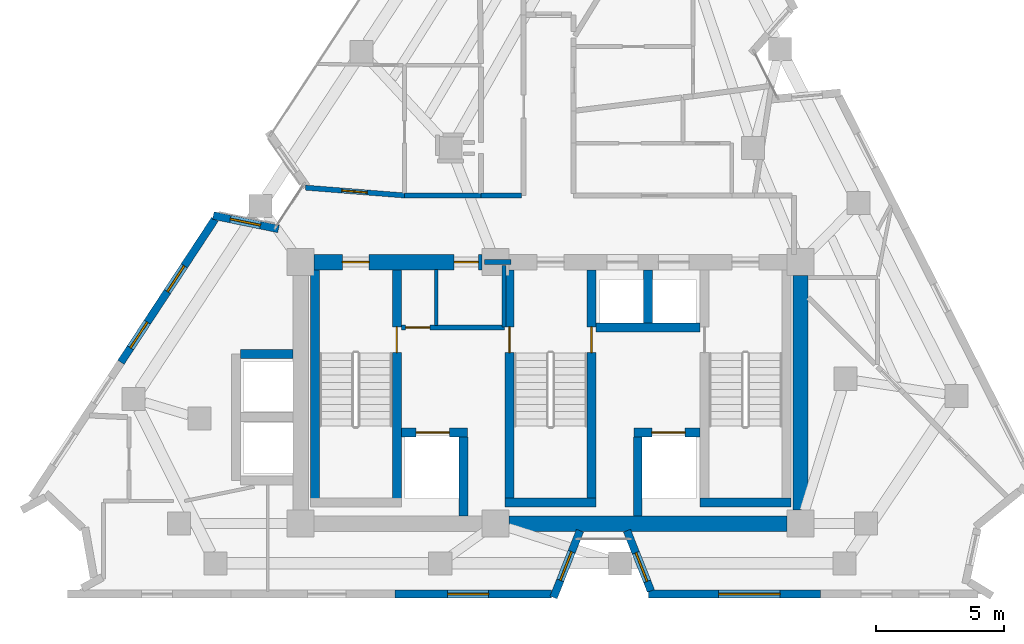
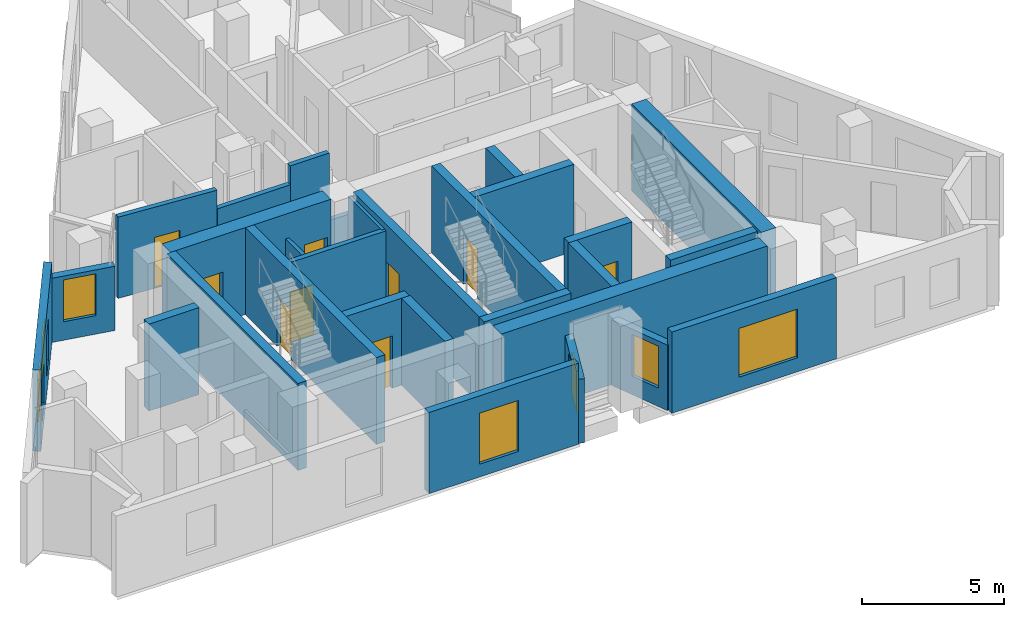
# One storey, part 5 of 9: 29 walls, 9 doors, 7 windows, 16 openings.
"""IFC4 building model written with IfcOpenShell, lengths in metres."""

from ifc_helpers import new_model, si_unit, direction, frame, frame_2d, origin, place, context, subcontext, project, spatial, rectangle, extrude, material, layer, layer_set, type_object, element, fill, save


model = new_model("IFC4")

# Units and contexts
model_context = context("Model", 3, precision=1e-05, world=origin(), true_north=direction((0.0, 1.0)))
body_context = subcontext(model_context, "Body", "Model", "MODEL_VIEW")
ifc_project = project(units=[si_unit("LENGTHUNIT", "METRE"), si_unit("AREAUNIT", "SQUARE_METRE"), si_unit("VOLUMEUNIT", "CUBIC_METRE"), si_unit("PLANEANGLEUNIT", "RADIAN"), si_unit("MASSUNIT", "GRAM", prefix="KILO")], contexts=[model_context])

# Site, building, storey
site_placement = place(None, origin())
site = spatial("IfcSite", under=ifc_project, at=site_placement, CompositionType="ELEMENT")
building_placement = place(site_placement, origin())
building = spatial("IfcBuilding", under=site, at=building_placement, Name="Almagre Mirador Tower", CompositionType="ELEMENT")
storey_placement = place(building_placement, frame((0.0, 0.0, 244.5)))
storey = spatial("IfcBuildingStorey", under=building, at=storey_placement, Name="L63", CompositionType="ELEMENT", Elevation=244.5)

# Wall, opening, window
ifc_material_1 = material(Name="Precast concrete C50/60", Category="concrete")
ifc_layer_1 = layer(ifc_material_1, 0.300048828125)
ifc_layer_set_1 = layer_set([ifc_layer_1], Name="Precast concrete C50/60")
wall_type_1 = type_object("IfcWallType", Name="WAL-EXT-300", PredefinedType="SOLIDWALL", material=ifc_layer_set_1)
wall_1_placement = place(storey_placement, frame((24.14501953125, 16.567138671875, 0.0), z_axis=(0.0, 0.0, 1.0), x_axis=(0.979528055306, -0.201307696993, 0.0)))
wall_1 = element("IfcWall", 1, at=wall_1_placement, inside=storey, type_object=wall_type_1, Name="L63 expressed almagre precast frame wall 01", PredefinedType="SOLIDWALL", context=body_context, shape_type="SweptSolid", body=[
    extrude(rectangle(XDim=2.59423828125, YDim=0.300048828125, at=frame_2d((1.297119140625, 0.0))), origin(), (0.0, 0.0, 1.0), 2.76904296875),
])
opening_1_placement = place(wall_1_placement, frame((0.675048828125, 0.0, 0.800048828125)))
opening_1 = element("IfcOpeningElement", 2, at=opening_1_placement, cuts=wall_1, Name="Opening WN-04", PredefinedType="OPENING", context=body_context, shape_type="SweptSolid", body=[
    extrude(rectangle(XDim=1.199951171875, YDim=1.800048828125, at=frame_2d((0.60009765625, 0.89990234375))), frame((0.0, 0.159902, 0.0), z_axis=(0.0, -1.0, 0.0), x_axis=(1.0, 0.0, 0.0)), (0.0, 0.0, 1.0), 0.320049),
])
ifc_material_2 = material(Name="Dark solar-control laminated hurricane glass", Category="glass")
window_type_1 = type_object("IfcWindowType", Name="WIN-1200X1800", PartitioningType="SINGLE_PANEL", PredefinedType="WINDOW", material=ifc_material_2)
window_1_placement = place(opening_1_placement, origin())
window_1 = element("IfcWindow", 3, at=window_1_placement, inside=storey, type_object=window_type_1, Name="L63 recessed hurricane window L63-UD-ST", OverallHeight=1.800048828125, OverallWidth=1.199951171875, PartitioningType="SINGLE_PANEL", PredefinedType="WINDOW", context=body_context, shape_type="SweptSolid", body=[
    extrude(rectangle(XDim=1.199951171875, YDim=1.800048828125, at=frame_2d((0.60009765625, 0.89990234375))), frame((0.0, 0.030029296875, 0.0), z_axis=(0.0, -1.0, 0.0), x_axis=(1.0, 0.0, 0.0)), (0.0, 0.0, 1.0), 0.06005859375),
])
fill(opening_1, window_1)

wall_2_placement = place(storey_placement, frame((47.83203125, 1.800048828125, 0.0), z_axis=(0.0, 0.0, 1.0), x_axis=(-1.0, 0.0, 0.0)))
wall_2 = element("IfcWall", 4, at=wall_2_placement, inside=storey, type_object=wall_type_1, Name="L63 expressed almagre precast frame wall 21", PredefinedType="SOLIDWALL", context=body_context, shape_type="SweptSolid", body=[
    extrude(rectangle(XDim=6.7080078125, YDim=0.300048828125, at=frame_2d((3.35400390625, 0.0))), origin(), (0.0, 0.0, 1.0), 3.5),
])
opening_2_placement = place(wall_2_placement, frame((1.574951171875, 0.0, 0.60009765625)))
opening_2 = element("IfcOpeningElement", 5, at=opening_2_placement, cuts=wall_2, Name="Opening WN-02", PredefinedType="OPENING", context=body_context, shape_type="SweptSolid", body=[
    extrude(rectangle(XDim=2.39990234375, YDim=2.10009765625, at=frame_2d((1.199951171875, 1.050048828125))), frame((0.0, 0.159902, 0.0), z_axis=(0.0, -1.0, 0.0), x_axis=(1.0, 0.0, 0.0)), (0.0, 0.0, 1.0), 0.320049),
])
ifc_material_3 = material(Name="Dark solar-control laminated hurricane glass", Category="glass")
window_type_2 = type_object("IfcWindowType", Name="WIN-2400X2100", PartitioningType="TRIPLE_PANEL_VERTICAL", PredefinedType="WINDOW", material=ifc_material_3)
window_2_placement = place(opening_2_placement, origin())
window_2 = element("IfcWindow", 6, at=window_2_placement, inside=storey, type_object=window_type_2, Name="L63 recessed hurricane window L63-UB-ST", OverallHeight=2.10009765625, OverallWidth=2.39990234375, PartitioningType="SINGLE_PANEL", PredefinedType="WINDOW", context=body_context, shape_type="SweptSolid", body=[
    extrude(rectangle(XDim=2.39990234375, YDim=2.10009765625, at=frame_2d((1.199951171875, 1.050048828125))), frame((0.0, 0.030029296875, 0.0), z_axis=(0.0, -1.0, 0.0), x_axis=(1.0, 0.0, 0.0)), (0.0, 0.0, 1.0), 0.06005859375),
])
fill(opening_2, window_2)

wall_3_placement = place(storey_placement, frame((41.214111328125, 1.92529296875, 0.0), z_axis=(0.0, 0.0, 1.0), x_axis=(-0.369457562636, 0.929247603931, 0.0)))
wall_3 = element("IfcWall", 7, at=wall_3_placement, inside=storey, type_object=wall_type_1, Name="L63 expressed almagre precast frame wall 22", PredefinedType="SOLIDWALL", context=body_context, shape_type="SweptSolid", body=[
    extrude(rectangle(XDim=2.52685546875, YDim=0.300048828125, at=frame_2d((1.263427734375, 0.0))), origin(), (0.0, 0.0, 1.0), 2.824951171875),
])
opening_3_placement = place(wall_3_placement, frame((0.39990234375, 0.0, 0.800048828125)))
opening_3 = element("IfcOpeningElement", 8, at=opening_3_placement, cuts=wall_3, Name="Opening WN-04", PredefinedType="OPENING", context=body_context, shape_type="SweptSolid", body=[
    extrude(rectangle(XDim=1.199951171875, YDim=1.800048828125, at=frame_2d((0.60009765625, 0.89990234375))), frame((0.0, 0.159902, 0.0), z_axis=(0.0, -1.0, 0.0), x_axis=(1.0, 0.0, 0.0)), (0.0, 0.0, 1.0), 0.320049),
])
window_3_placement = place(opening_3_placement, origin())
window_3 = element("IfcWindow", 9, at=window_3_placement, inside=storey, type_object=window_type_1, Name="L63 recessed hurricane window L63-UB-BT", OverallHeight=1.800048828125, OverallWidth=1.199951171875, PartitioningType="SINGLE_PANEL", PredefinedType="WINDOW", context=body_context, shape_type="SweptSolid", body=[
    extrude(rectangle(XDim=1.199951171875, YDim=1.800048828125, at=frame_2d((0.60009765625, 0.89990234375))), frame((0.0, 0.030029296875, 0.0), z_axis=(0.0, -1.0, 0.0), x_axis=(1.0, 0.0, 0.0)), (0.0, 0.0, 1.0), 0.06005859375),
])
fill(opening_3, window_3)

wall_4_placement = place(storey_placement, frame((38.447509765625, 4.2734375, 0.0), z_axis=(0.0, 0.0, 1.0), x_axis=(-0.369466825356, -0.929243921132, 0.0)))
wall_4 = element("IfcWall", 10, at=wall_4_placement, inside=storey, type_object=wall_type_1, Name="L63 expressed almagre precast frame wall 23", PredefinedType="SOLIDWALL", context=body_context, shape_type="SweptSolid", body=[
    extrude(rectangle(XDim=2.8017578125, YDim=0.300048828125, at=frame_2d((1.40087890625, 0.0))), origin(), (0.0, 0.0, 1.0), 2.76904296875),
])
opening_4_placement = place(wall_4_placement, frame((0.883056640625, 0.0, 0.800048828125)))
opening_4 = element("IfcOpeningElement", 11, at=opening_4_placement, cuts=wall_4, Name="Opening WN-04", PredefinedType="OPENING", context=body_context, shape_type="SweptSolid", body=[
    extrude(rectangle(XDim=1.199951171875, YDim=1.800048828125, at=frame_2d((0.60009765625, 0.89990234375))), frame((0.0, 0.159902, 0.0), z_axis=(0.0, -1.0, 0.0), x_axis=(1.0, 0.0, 0.0)), (0.0, 0.0, 1.0), 0.320049),
])
window_4_placement = place(opening_4_placement, origin())
window_4 = element("IfcWindow", 12, at=window_4_placement, inside=storey, type_object=window_type_1, Name="L63 recessed hurricane window L63-UB-BT", OverallHeight=1.800048828125, OverallWidth=1.199951171875, PartitioningType="SINGLE_PANEL", PredefinedType="WINDOW", context=body_context, shape_type="SweptSolid", body=[
    extrude(rectangle(XDim=1.199951171875, YDim=1.800048828125, at=frame_2d((0.60009765625, 0.89990234375))), frame((0.0, 0.030029296875, 0.0), z_axis=(0.0, -1.0, 0.0), x_axis=(1.0, 0.0, 0.0)), (0.0, 0.0, 1.0), 0.06005859375),
])
fill(opening_4, window_4)

wall_5_placement = place(storey_placement, frame((37.3291015625, 1.800048828125, 0.0), z_axis=(0.0, 0.0, 1.0), x_axis=(-1.0, 0.0, 0.0)))
wall_5 = element("IfcWall", 13, at=wall_5_placement, inside=storey, type_object=wall_type_1, Name="L63 expressed almagre precast frame wall 24", PredefinedType="SOLIDWALL", context=body_context, shape_type="SweptSolid", body=[
    extrude(rectangle(XDim=6.1064453125, YDim=0.300048828125, at=frame_2d((3.05322265625, 0.0))), origin(), (0.0, 0.0, 1.0), 3.5),
])
opening_5_placement = place(wall_5_placement, frame((2.449951171875, 0.0, 0.550048828125)))
opening_5 = element("IfcOpeningElement", 14, at=opening_5_placement, cuts=wall_5, Name="Opening WN-06", PredefinedType="OPENING", context=body_context, shape_type="SweptSolid", body=[
    extrude(rectangle(XDim=1.60009765625, YDim=2.199951171875, at=frame_2d((0.800048828125, 1.10009765625))), frame((0.0, 0.159902, 0.0), z_axis=(0.0, -1.0, 0.0), x_axis=(1.0, 0.0, 0.0)), (0.0, 0.0, 1.0), 0.320049),
])
ifc_material_4 = material(Name="Dark solar-control laminated hurricane glass", Category="glass")
window_type_3 = type_object("IfcWindowType", Name="WIN-1600X2200", PartitioningType="DOUBLE_PANEL_VERTICAL", PredefinedType="WINDOW", material=ifc_material_4)
window_5_placement = place(opening_5_placement, origin())
window_5 = element("IfcWindow", 15, at=window_5_placement, inside=storey, type_object=window_type_3, Name="L63 recessed hurricane window L63-UB-KT", OverallHeight=2.199951171875, OverallWidth=1.60009765625, PartitioningType="SINGLE_PANEL", PredefinedType="WINDOW", context=body_context, shape_type="SweptSolid", body=[
    extrude(rectangle(XDim=1.60009765625, YDim=2.199951171875, at=frame_2d((0.800048828125, 1.10009765625))), frame((0.0, 0.030029296875, 0.0), z_axis=(0.0, -1.0, 0.0), x_axis=(1.0, 0.0, 0.0)), (0.0, 0.0, 1.0), 0.06005859375),
])
fill(opening_5, window_5)

# Wall, openings, windows
wall_6_placement = place(storey_placement, frame((20.5390625, 10.841064453125, 0.0), z_axis=(0.0, 0.0, 1.0), x_axis=(0.549017369907, 0.83581094007, 0.0)))
wall_6 = element("IfcWall", 16, at=wall_6_placement, inside=storey, type_object=wall_type_1, Name="L63 expressed almagre precast frame wall 32", PredefinedType="SOLIDWALL", context=body_context, shape_type="SweptSolid", body=[
    extrude(rectangle(XDim=6.677490234375, YDim=0.300048828125, at=frame_2d((3.3388671875, 0.0))), origin(), (0.0, 0.0, 1.0), 3.5),
])
opening_6_placement = place(wall_6_placement, frame((3.300048828125, 0.0, 0.800048828125)))
opening_6 = element("IfcOpeningElement", 17, at=opening_6_placement, cuts=wall_6, Name="Opening WN-04", PredefinedType="OPENING", context=body_context, shape_type="SweptSolid", body=[
    extrude(rectangle(XDim=1.199951171875, YDim=1.800048828125, at=frame_2d((0.60009765625, 0.89990234375))), frame((0.0, 0.159902, 0.0), z_axis=(0.0, -1.0, 0.0), x_axis=(1.0, 0.0, 0.0)), (0.0, 0.0, 1.0), 0.320049),
])
opening_7_placement = place(wall_6_placement, frame((0.675048828125, 0.0, 0.800048828125)))
opening_7 = element("IfcOpeningElement", 18, at=opening_7_placement, cuts=wall_6, Name="Opening WN-04", PredefinedType="OPENING", context=body_context, shape_type="SweptSolid", body=[
    extrude(rectangle(XDim=1.199951171875, YDim=1.800048828125, at=frame_2d((0.60009765625, 0.89990234375))), frame((0.0, 0.159902, 0.0), z_axis=(0.0, -1.0, 0.0), x_axis=(1.0, 0.0, 0.0)), (0.0, 0.0, 1.0), 0.320049),
])
window_6_placement = place(opening_6_placement, origin())
window_6 = element("IfcWindow", 19, at=window_6_placement, inside=storey, type_object=window_type_1, Name="L63 recessed hurricane window L63-UD-BT", OverallHeight=1.800048828125, OverallWidth=1.199951171875, PartitioningType="SINGLE_PANEL", PredefinedType="WINDOW", context=body_context, shape_type="SweptSolid", body=[
    extrude(rectangle(XDim=1.199951171875, YDim=1.800048828125, at=frame_2d((0.60009765625, 0.89990234375))), frame((0.0, 0.030029296875, 0.0), z_axis=(0.0, -1.0, 0.0), x_axis=(1.0, 0.0, 0.0)), (0.0, 0.0, 1.0), 0.06005859375),
])
fill(opening_6, window_6)
window_7_placement = place(opening_7_placement, origin())
window_7 = element("IfcWindow", 20, at=window_7_placement, inside=storey, type_object=window_type_1, Name="L63 recessed hurricane window L63-UD-KT", OverallHeight=1.800048828125, OverallWidth=1.199951171875, PartitioningType="SINGLE_PANEL", PredefinedType="WINDOW", context=body_context, shape_type="SweptSolid", body=[
    extrude(rectangle(XDim=1.199951171875, YDim=1.800048828125, at=frame_2d((0.60009765625, 0.89990234375))), frame((0.0, 0.030029296875, 0.0), z_axis=(0.0, -1.0, 0.0), x_axis=(1.0, 0.0, 0.0)), (0.0, 0.0, 1.0), 0.06005859375),
])
fill(opening_7, window_7)

# Wall
ifc_material_5 = material(Name="Gypsum acoustic stud partition", Category="other")
ifc_layer_2 = layer(ifc_material_5, 0.199951171875)
ifc_layer_set_2 = layer_set([ifc_layer_2], Name="Gypsum acoustic stud partition")
wall_type_2 = type_object("IfcWallType", Name="WAL-PRT-200-EI60", PredefinedType="PARTITIONING", material=ifc_layer_set_2)
wall_7_placement = place(storey_placement, frame((34.719970703125, 14.75, 0.0), z_axis=(0.0, 0.0, 1.0), x_axis=(1.0, 0.0, 0.0)))
element("IfcWall", 21, at=wall_7_placement, inside=storey, type_object=wall_type_2, Name="L63 core north closure wall", PredefinedType="PARTITIONING", context=body_context, shape_type="SweptSolid", body=[
    extrude(rectangle(XDim=1.030029296875, YDim=0.199951171875, at=frame_2d((0.51513671875, 0.0))), origin(), (0.0, 0.0, 1.0), 2.68505859375),
])

# Wall, opening, door
wall_8_placement = place(storey_placement, frame((31.47998046875, 12.199951171875, 0.0), z_axis=(0.0, 0.0, 1.0), x_axis=(1.0, 0.0, 0.0)))
wall_8 = element("IfcWall", 22, at=wall_8_placement, inside=storey, type_object=wall_type_2, Name="L63 FFL-1 north enclosure wall", PredefinedType="PARTITIONING", context=body_context, shape_type="SweptSolid", body=[
    extrude(rectangle(XDim=4.024658203125, YDim=0.199951171875, at=frame_2d((2.01220703125, 0.0))), origin(), (0.0, 0.0, 1.0), 3.5),
])
opening_8_placement = place(wall_8_placement, frame((0.1650390625, 0.0, 0.0)))
opening_8 = element("IfcOpeningElement", 23, at=opening_8_placement, cuts=wall_8, Name="Opening ID-02", PredefinedType="OPENING", context=body_context, shape_type="SweptSolid", body=[
    extrude(rectangle(XDim=0.949951171875, YDim=2.14990234375, at=frame_2d((0.47509765625, 1.074951171875))), frame((0.0, 0.110098, 0.0), z_axis=(0.0, -1.0, 0.0), x_axis=(1.0, 0.0, 0.0)), (0.0, 0.0, 1.0), 0.219951),
])
ifc_material_6 = material(Name="Fire-rated walnut timber", Category="wood")
door_type_1 = type_object("IfcDoorType", Name="DOR-FD60-950X2150", OperationType="NOTDEFINED", PredefinedType="DOOR", material=ifc_material_6)
door_1_placement = place(opening_8_placement, origin())
door_1 = element("IfcDoor", 24, at=door_1_placement, inside=storey, type_object=door_type_1, Name="DR-1934 L63 FFL-1 north smoke door", OperationType="SINGLE_SWING_RIGHT", OverallHeight=2.14990234375, OverallWidth=0.949951171875, PredefinedType="DOOR", context=body_context, shape_type="SweptSolid", body=[
    extrude(rectangle(XDim=0.949951171875, YDim=2.14990234375, at=frame_2d((0.47509765625, 1.074951171875))), frame((0.0, 0.02490234375, 0.0), z_axis=(0.0, -1.0, 0.0), x_axis=(1.0, 0.0, 0.0)), (0.0, 0.0, 1.0), 0.050048828125),
])
fill(opening_8, door_1)

# Walls
wall_9_placement = place(storey_placement, frame((32.840087890625, 12.284912109375, 0.0), z_axis=(0.0, 0.0, 1.0), x_axis=(0.0, 1.0, 0.0)))
element("IfcWall", 25, at=wall_9_placement, inside=storey, type_object=wall_type_2, Name="L63 core riser west wall", PredefinedType="PARTITIONING", context=body_context, shape_type="SweptSolid", body=[
    extrude(rectangle(XDim=2.18017578125, YDim=0.14990234375, at=frame_2d((1.090087890625, 0.0))), origin(), (0.0, 0.0, 1.0), 2.68505859375),
])
wall_10_placement = place(storey_placement, frame((35.47998046875, 12.219970703125, 0.0), z_axis=(0.0, 0.0, 1.0), x_axis=(0.0, 1.0, 0.0)))
element("IfcWall", 26, at=wall_10_placement, inside=storey, type_object=wall_type_2, Name="L63 core riser east wall", PredefinedType="PARTITIONING", context=body_context, shape_type="SweptSolid", body=[
    extrude(rectangle(XDim=2.396240234375, YDim=0.14990234375, at=frame_2d((1.1982421875, 0.0))), origin(), (0.0, 0.0, 1.0), 3.5),
])

# Wall, opening, door
wall_11_placement = place(storey_placement, frame((31.60009765625, 17.35009765625, 0.0), z_axis=(0.0, 0.0, 1.0), x_axis=(-0.996894372276, 0.078750304913, 0.0)))
wall_11 = element("IfcWall", 27, at=wall_11_placement, inside=storey, type_object=wall_type_2, Name="L63 interior partition 008", PredefinedType="PARTITIONING", context=body_context, shape_type="SweptSolid", body=[
    extrude(rectangle(XDim=3.8720703125, YDim=0.199951171875, at=frame_2d((1.93603515625, 0.0))), origin(), (0.0, 0.0, 1.0), 3.5),
])
opening_9_placement = place(wall_11_placement, frame((1.45263671875, 0.0, 0.0)))
opening_9 = element("IfcOpeningElement", 28, at=opening_9_placement, cuts=wall_11, Name="Opening ID-01", PredefinedType="OPENING", context=body_context, shape_type="SweptSolid", body=[
    extrude(rectangle(XDim=1.0, YDim=2.199951171875, at=frame_2d((0.5, 1.10009765625))), frame((0.0, 0.110098, 0.0), z_axis=(0.0, -1.0, 0.0), x_axis=(1.0, 0.0, 0.0)), (0.0, 0.0, 1.0), 0.219951),
])
ifc_material_7 = material(Name="Fire-rated walnut timber", Category="wood")
door_type_2 = type_object("IfcDoorType", Name="DOR-FD60-1000X2200", OperationType="NOTDEFINED", PredefinedType="DOOR", material=ifc_material_7)
door_2_placement = place(opening_9_placement, origin())
door_2 = element("IfcDoor", 29, at=door_2_placement, inside=storey, type_object=door_type_2, Name="DR-1944 L63 interior door L63-RCOR to L63-UG-ST", OperationType="SINGLE_SWING_LEFT", OverallHeight=2.199951171875, OverallWidth=1.0, PredefinedType="DOOR", context=body_context, shape_type="SweptSolid", body=[
    extrude(rectangle(XDim=1.0, YDim=2.199951171875, at=frame_2d((0.5, 1.10009765625))), frame((0.0, 0.02490234375, 0.0), z_axis=(0.0, -1.0, 0.0), x_axis=(1.0, 0.0, 0.0)), (0.0, 0.0, 1.0), 0.050048828125),
])
fill(opening_9, door_2)

# Walls
wall_12_placement = place(storey_placement, frame((34.580078125, 17.35009765625, 0.0), z_axis=(0.0, 0.0, 1.0), x_axis=(-1.0, 0.0, 0.0)))
element("IfcWall", 30, at=wall_12_placement, inside=storey, type_object=wall_type_2, Name="L63 interior partition 009", PredefinedType="PARTITIONING", context=body_context, shape_type="SweptSolid", body=[
    extrude(rectangle(XDim=2.97998046875, YDim=0.199951171875, at=frame_2d((1.489990234375, 0.0))), origin(), (0.0, 0.0, 1.0), 2.68505859375),
])
wall_13_placement = place(storey_placement, frame((36.1650390625, 17.35009765625, 0.0), z_axis=(0.0, 0.0, 1.0), x_axis=(-1.0, 0.0, 0.0)))
element("IfcWall", 31, at=wall_13_placement, inside=storey, type_object=wall_type_2, Name="L63 interior partition 011", PredefinedType="PARTITIONING", context=body_context, shape_type="SweptSolid", body=[
    extrude(rectangle(XDim=1.5849609375, YDim=0.199951171875, at=frame_2d((0.79248046875, 0.0))), origin(), (0.0, 0.0, 1.0), 3.5),
])
ifc_material_8 = material(Name="Concrete C60/75", Category="concrete")
ifc_layer_3 = layer(ifc_material_8, 0.35009765625)
ifc_layer_set_3 = layer_set([ifc_layer_3], Name="Concrete C60/75")
wall_type_3 = type_object("IfcWallType", Name="WAL-SHF-350", PredefinedType="SOLIDWALL", material=ifc_layer_set_3)
wall_14_placement = place(storey_placement, frame((28.10009765625, 5.199951171875, 0.0), z_axis=(0.0, 0.0, 1.0), x_axis=(0.0, 1.0, 0.0)))
element("IfcWall", 32, at=wall_14_placement, inside=storey, type_object=wall_type_3, Name="L63 shaft wall ST1-W", PredefinedType="SOLIDWALL", context=body_context, shape_type="SweptSolid", body=[
    extrude(rectangle(XDim=9.25, YDim=0.35009765625, at=frame_2d((4.625, 0.0))), origin(), (0.0, 0.0, 1.0), 3.75),
])

# Wall, opening, door
wall_15_placement = place(storey_placement, frame((31.300048828125, 5.199951171875, 0.0), z_axis=(0.0, 0.0, 1.0), x_axis=(0.0, 1.0, 0.0)))
wall_15 = element("IfcWall", 33, at=wall_15_placement, inside=storey, type_object=wall_type_3, Name="L63 shaft wall ST1-E", PredefinedType="SOLIDWALL", context=body_context, shape_type="SweptSolid", body=[
    extrude(rectangle(XDim=9.25, YDim=0.35009765625, at=frame_2d((4.625, 0.0))), origin(), (0.0, 0.0, 1.0), 3.75),
])
opening_10_placement = place(wall_15_placement, frame((6.02001953125, 0.0, 0.0)))
opening_10 = element("IfcOpeningElement", 34, at=opening_10_placement, cuts=wall_15, Name="Opening FD-01", PredefinedType="OPENING", context=body_context, shape_type="SweptSolid", body=[
    extrude(rectangle(XDim=1.0, YDim=2.14990234375, at=frame_2d((0.5, 1.074951171875))), frame((0.0, 0.185049, 0.0), z_axis=(0.0, -1.0, 0.0), x_axis=(1.0, 0.0, 0.0)), (0.0, 0.0, 1.0), 0.370098),
])
ifc_material_9 = material(Name="Fire-rated hollow steel", Category="steel")
door_type_3 = type_object("IfcDoorType", Name="DOR-FFL-1000X2150", OperationType="NOTDEFINED", PredefinedType="DOOR", material=ifc_material_9)
door_3_placement = place(opening_10_placement, origin())
door_3 = element("IfcDoor", 35, at=door_3_placement, inside=storey, type_object=door_type_3, Name="DR-1935 L63 FFL1-ST1 smokeproof door", OperationType="SINGLE_SWING_RIGHT", OverallHeight=2.14990234375, OverallWidth=1.0, PredefinedType="DOOR", context=body_context, shape_type="SweptSolid", body=[
    extrude(rectangle(XDim=1.0, YDim=2.14990234375, at=frame_2d((0.5, 1.074951171875))), frame((0.0, 0.02490234375, 0.0), z_axis=(0.0, -1.0, 0.0), x_axis=(1.0, 0.0, 0.0)), (0.0, 0.0, 1.0), 0.050048828125),
])
fill(opening_10, door_3)

wall_16_placement = place(storey_placement, frame((35.699951171875, 5.199951171875, 0.0), z_axis=(0.0, 0.0, 1.0), x_axis=(0.0, 1.0, 0.0)))
wall_16 = element("IfcWall", 36, at=wall_16_placement, inside=storey, type_object=wall_type_3, Name="L63 shaft wall ST2-W", PredefinedType="SOLIDWALL", context=body_context, shape_type="SweptSolid", body=[
    extrude(rectangle(XDim=9.25, YDim=0.35009765625, at=frame_2d((4.625, 0.0))), origin(), (0.0, 0.0, 1.0), 3.75),
])
opening_11_placement = place(wall_16_placement, frame((6.02001953125, 0.0, 0.0)))
opening_11 = element("IfcOpeningElement", 37, at=opening_11_placement, cuts=wall_16, Name="Opening FD-01", PredefinedType="OPENING", context=body_context, shape_type="SweptSolid", body=[
    extrude(rectangle(XDim=1.0, YDim=2.14990234375, at=frame_2d((0.5, 1.074951171875))), frame((0.0, 0.185049, 0.0), z_axis=(0.0, -1.0, 0.0), x_axis=(1.0, 0.0, 0.0)), (0.0, 0.0, 1.0), 0.370098),
])
door_4_placement = place(opening_11_placement, origin())
door_4 = element("IfcDoor", 38, at=door_4_placement, inside=storey, type_object=door_type_3, Name="DR-1936 L63 FFL1-ST2 smokeproof door", OperationType="SINGLE_SWING_LEFT", OverallHeight=2.14990234375, OverallWidth=1.0, PredefinedType="DOOR", context=body_context, shape_type="SweptSolid", body=[
    extrude(rectangle(XDim=1.0, YDim=2.14990234375, at=frame_2d((0.5, 1.074951171875))), frame((0.0, 0.02490234375, 0.0), z_axis=(0.0, -1.0, 0.0), x_axis=(1.0, 0.0, 0.0)), (0.0, 0.0, 1.0), 0.050048828125),
])
fill(opening_11, door_4)

wall_17_placement = place(storey_placement, frame((38.89990234375, 5.199951171875, 0.0), z_axis=(0.0, 0.0, 1.0), x_axis=(0.0, 1.0, 0.0)))
wall_17 = element("IfcWall", 39, at=wall_17_placement, inside=storey, type_object=wall_type_3, Name="L63 shaft wall ST2-E", PredefinedType="SOLIDWALL", context=body_context, shape_type="SweptSolid", body=[
    extrude(rectangle(XDim=9.25, YDim=0.35009765625, at=frame_2d((4.625, 0.0))), origin(), (0.0, 0.0, 1.0), 3.75),
])
opening_12_placement = place(wall_17_placement, frame((6.02001953125, 0.0, 0.0)))
opening_12 = element("IfcOpeningElement", 40, at=opening_12_placement, cuts=wall_17, Name="Opening FD-01", PredefinedType="OPENING", context=body_context, shape_type="SweptSolid", body=[
    extrude(rectangle(XDim=1.0, YDim=2.14990234375, at=frame_2d((0.5, 1.074951171875))), frame((0.0, 0.185049, 0.0), z_axis=(0.0, -1.0, 0.0), x_axis=(1.0, 0.0, 0.0)), (0.0, 0.0, 1.0), 0.370098),
])
door_5_placement = place(opening_12_placement, origin())
door_5 = element("IfcDoor", 41, at=door_5_placement, inside=storey, type_object=door_type_3, Name="DR-1937 L63 FFL2-ST2 smokeproof door", OperationType="SINGLE_SWING_RIGHT", OverallHeight=2.14990234375, OverallWidth=1.0, PredefinedType="DOOR", context=body_context, shape_type="SweptSolid", body=[
    extrude(rectangle(XDim=1.0, YDim=2.14990234375, at=frame_2d((0.5, 1.074951171875))), frame((0.0, 0.02490234375, 0.0), z_axis=(0.0, -1.0, 0.0), x_axis=(1.0, 0.0, 0.0)), (0.0, 0.0, 1.0), 0.050048828125),
])
fill(opening_12, door_5)

# Walls
for number, where, z_axis, x_axis, name in (
    (42, (35.52490234375, 5.375, 0.0), (0.0, 0.0, 1.0), (1.0, 0.0, 0.0), "L63 shaft wall ST2-S"),
    (43, (43.125, 5.375, 0.0), (0.0, 0.0, 1.0), (1.0, 0.0, 0.0), "L63 shaft wall ST3-S"),
):
    element("IfcWall", number, at=place(storey_placement, frame(where, z_axis=z_axis, x_axis=x_axis)), inside=storey, type_object=wall_type_3, Name=name, PredefinedType="SOLIDWALL", context=body_context, shape_type="SweptSolid", body=[
        extrude(rectangle(XDim=3.550048828125, YDim=0.35009765625, at=frame_2d((1.77490234375, 0.0))), origin(), (0.0, 0.0, 1.0), 3.75),
    ])

# Wall, opening, door
wall_18_placement = place(storey_placement, frame((31.47509765625, 8.10009765625, 0.0), z_axis=(0.0, 0.0, 1.0), x_axis=(1.0, 0.0, 0.0)))
wall_18 = element("IfcWall", 44, at=wall_18_placement, inside=storey, type_object=wall_type_3, Name="L63 shaft wall FSAE1-N", PredefinedType="SOLIDWALL", context=body_context, shape_type="SweptSolid", body=[
    extrude(rectangle(XDim=2.574951171875, YDim=0.35009765625, at=frame_2d((1.28759765625, 0.0))), origin(), (0.0, 0.0, 1.0), 3.75),
])
opening_13_placement = place(wall_18_placement, frame((0.574951171875, 0.0, 0.0)))
opening_13 = element("IfcOpeningElement", 45, at=opening_13_placement, cuts=wall_18, Name="Opening LD-03", PredefinedType="OPENING", context=body_context, shape_type="SweptSolid", body=[
    extrude(rectangle(XDim=1.300048828125, YDim=2.25, at=frame_2d((0.64990234375, 1.125))), frame((0.0, 0.185049, 0.0), z_axis=(0.0, -1.0, 0.0), x_axis=(1.0, 0.0, 0.0)), (0.0, 0.0, 1.0), 0.370098),
])
ifc_material_10 = material(Name="Hollow stainless steel", Category="steel")
door_type_4 = type_object("IfcDoorType", Name="DOR-LD-1300X2250", OperationType="DOUBLE_DOOR_SLIDING", PredefinedType="DOOR", material=ifc_material_10)
door_6_placement = place(opening_13_placement, origin())
door_6 = element("IfcDoor", 46, at=door_6_placement, inside=storey, type_object=door_type_4, Name="DR-1954 L63 FSAE-1 lift landing door", OperationType="DOUBLE_DOOR_SLIDING", OverallHeight=2.25, OverallWidth=1.300048828125, PredefinedType="DOOR", context=body_context, shape_type="SweptSolid", body=[
    extrude(rectangle(XDim=1.300048828125, YDim=2.25, at=frame_2d((0.64990234375, 1.125))), frame((0.0, 0.02490234375, 0.0), z_axis=(0.0, -1.0, 0.0), x_axis=(1.0, 0.0, 0.0)), (0.0, 0.0, 1.0), 0.050048828125),
])
fill(opening_13, door_6)

wall_19_placement = place(storey_placement, frame((40.550048828125, 8.10009765625, 0.0), z_axis=(0.0, 0.0, 1.0), x_axis=(1.0, 0.0, 0.0)))
wall_19 = element("IfcWall", 47, at=wall_19_placement, inside=storey, type_object=wall_type_3, Name="L63 shaft wall FSAE2-N", PredefinedType="SOLIDWALL", context=body_context, shape_type="SweptSolid", body=[
    extrude(rectangle(XDim=2.574951171875, YDim=0.35009765625, at=frame_2d((1.28759765625, 0.0))), origin(), (0.0, 0.0, 1.0), 3.75),
])
opening_14_placement = place(wall_19_placement, frame((0.699951171875, 0.0, 0.0)))
opening_14 = element("IfcOpeningElement", 48, at=opening_14_placement, cuts=wall_19, Name="Opening LD-03", PredefinedType="OPENING", context=body_context, shape_type="SweptSolid", body=[
    extrude(rectangle(XDim=1.300048828125, YDim=2.25, at=frame_2d((0.64990234375, 1.125))), frame((0.0, 0.185049, 0.0), z_axis=(0.0, -1.0, 0.0), x_axis=(1.0, 0.0, 0.0)), (0.0, 0.0, 1.0), 0.370098),
])
door_7_placement = place(opening_14_placement, origin())
door_7 = element("IfcDoor", 49, at=door_7_placement, inside=storey, type_object=door_type_4, Name="DR-1955 L63 FSAE-2 lift landing door", OperationType="DOUBLE_DOOR_SLIDING", OverallHeight=2.25, OverallWidth=1.300048828125, PredefinedType="DOOR", context=body_context, shape_type="SweptSolid", body=[
    extrude(rectangle(XDim=1.300048828125, YDim=2.25, at=frame_2d((0.64990234375, 1.125))), frame((0.0, 0.02490234375, 0.0), z_axis=(0.0, -1.0, 0.0), x_axis=(1.0, 0.0, 0.0)), (0.0, 0.0, 1.0), 0.050048828125),
])
fill(opening_14, door_7)

# Walls
for number, where, z_axis, x_axis, name in (
    (50, (33.89990234375, 4.85009765625, 0.0), (0.0, 0.0, 1.0), (0.0, 1.0, 0.0), "L63 shaft wall FSAE1-E"),
    (51, (40.699951171875, 4.85009765625, 0.0), (0.0, 0.0, 1.0), (0.0, 1.0, 0.0), "L63 shaft wall FSAE2-W"),
):
    element("IfcWall", number, at=place(storey_placement, frame(where, z_axis=z_axis, x_axis=x_axis)), inside=storey, type_object=wall_type_3, Name=name, PredefinedType="SOLIDWALL", context=body_context, shape_type="SweptSolid", body=[
        extrude(rectangle(XDim=3.074951171875, YDim=0.35009765625, at=frame_2d((1.53759765625, 0.0))), origin(), (0.0, 0.0, 1.0), 3.75),
    ])
wall_20_placement = place(storey_placement, frame((39.074951171875, 12.199951171875, 0.0), z_axis=(0.0, 0.0, 1.0), x_axis=(1.0, 0.0, 0.0)))
element("IfcWall", 52, at=wall_20_placement, inside=storey, type_object=wall_type_3, Name="L63 shaft wall PLH-S", PredefinedType="SOLIDWALL", context=body_context, shape_type="SweptSolid", body=[
    extrude(rectangle(XDim=4.050048828125, YDim=0.35009765625, at=frame_2d((2.02490234375, 0.0))), origin(), (0.0, 0.0, 1.0), 3.75),
])
wall_21_placement = place(storey_placement, frame((41.10009765625, 12.375, 0.0), z_axis=(0.0, 0.0, 1.0), x_axis=(0.0, 1.0, 0.0)))
element("IfcWall", 53, at=wall_21_placement, inside=storey, type_object=wall_type_3, Name="L63 shaft wall PLH-M", PredefinedType="SOLIDWALL", context=body_context, shape_type="SweptSolid", body=[
    extrude(rectangle(XDim=2.074951171875, YDim=0.35009765625, at=frame_2d((1.03759765625, 0.0))), origin(), (0.0, 0.0, 1.0), 3.75),
])
wall_22_placement = place(storey_placement, frame((25.199951171875, 11.175048828125, 0.0), z_axis=(0.0, 0.0, 1.0), x_axis=(1.0, 0.0, 0.0)))
element("IfcWall", 54, at=wall_22_placement, inside=storey, type_object=wall_type_3, Name="L63 shaft wall OL-N", PredefinedType="SOLIDWALL", context=body_context, shape_type="SweptSolid", body=[
    extrude(rectangle(XDim=2.050048828125, YDim=0.35009765625, at=frame_2d((1.02490234375, 0.0))), origin(), (0.0, 0.0, 1.0), 3.75),
])
ifc_material_11 = material(Name="Concrete C60/75", Category="concrete")
ifc_layer_4 = layer(ifc_material_11, 0.60009765625)
ifc_layer_set_4 = layer_set([ifc_layer_4], Name="Concrete C60/75")
wall_type_4 = type_object("IfcWallType", Name="WAL-SHR-600", PredefinedType="SHEAR", material=ifc_layer_set_4)
wall_23_placement = place(storey_placement, frame((35.675048828125, 4.550048828125, 0.0), z_axis=(0.0, 0.0, 1.0), x_axis=(1.0, 0.0, 0.0)))
element("IfcWall", 55, at=wall_23_placement, inside=storey, type_object=wall_type_4, Name="L63 core shear wall S2", PredefinedType="SHEAR", context=body_context, shape_type="SweptSolid", body=[
    extrude(rectangle(XDim=10.849853515625, YDim=0.60009765625, at=frame_2d((5.4248046875, 0.0))), origin(), (0.0, 0.0, 1.0), 3.75),
])

# Wall, openings, doors
wall_24_placement = place(storey_placement, frame((28.074951171875, 14.75, 0.0), z_axis=(0.0, 0.0, 1.0), x_axis=(1.0, 0.0, 0.0)))
wall_24 = element("IfcWall", 56, at=wall_24_placement, inside=storey, type_object=wall_type_4, Name="L63 core shear wall N1", PredefinedType="SHEAR", context=body_context, shape_type="SweptSolid", body=[
    extrude(rectangle(XDim=6.550048828125, YDim=0.60009765625, at=frame_2d((3.27490234375, 0.0))), origin(), (0.0, 0.0, 1.0), 3.75),
])
opening_15_placement = place(wall_24_placement, frame((1.10009765625, 0.0, 0.0)))
opening_15 = element("IfcOpeningElement", 57, at=opening_15_placement, cuts=wall_24, Name="Opening SD-01", PredefinedType="OPENING", context=body_context, shape_type="SweptSolid", body=[
    extrude(rectangle(XDim=1.050048828125, YDim=2.14990234375, at=frame_2d((0.52490234375, 1.074951171875))), frame((0.0, 0.310049, 0.0), z_axis=(0.0, -1.0, 0.0), x_axis=(1.0, 0.0, 0.0)), (0.0, 0.0, 1.0), 0.620098),
])
opening_16_placement = place(wall_24_placement, frame((5.4599609375, 0.0, 0.0)))
opening_16 = element("IfcOpeningElement", 58, at=opening_16_placement, cuts=wall_24, Name="Opening FD-02", PredefinedType="OPENING", context=body_context, shape_type="SweptSolid", body=[
    extrude(rectangle(XDim=0.949951171875, YDim=2.14990234375, at=frame_2d((0.47509765625, 1.074951171875))), frame((0.0, 0.310049, 0.0), z_axis=(0.0, -1.0, 0.0), x_axis=(1.0, 0.0, 0.0)), (0.0, 0.0, 1.0), 0.620098),
])
ifc_material_12 = material(Name="Fire-rated hollow steel", Category="steel")
door_type_5 = type_object("IfcDoorType", Name="DOR-FD90-950X2150", OperationType="NOTDEFINED", PredefinedType="DOOR", material=ifc_material_12)
door_8_placement = place(opening_16_placement, origin())
door_8 = element("IfcDoor", 59, at=door_8_placement, inside=storey, type_object=door_type_5, Name="DR-1933 L63 core equipment room north door", OperationType="SINGLE_SWING_LEFT", OverallHeight=2.14990234375, OverallWidth=0.949951171875, PredefinedType="DOOR", context=body_context, shape_type="SweptSolid", body=[
    extrude(rectangle(XDim=0.949951171875, YDim=2.14990234375, at=frame_2d((0.47509765625, 1.074951171875))), frame((0.0, 0.02490234375, 0.0), z_axis=(0.0, -1.0, 0.0), x_axis=(1.0, 0.0, 0.0)), (0.0, 0.0, 1.0), 0.050048828125),
])
fill(opening_16, door_8)
ifc_material_13 = material(Name="Fire-rated hollow steel", Category="steel")
door_type_6 = type_object("IfcDoorType", Name="DOR-ST-1050X2150", OperationType="NOTDEFINED", PredefinedType="DOOR", material=ifc_material_13)
door_9_placement = place(opening_15_placement, origin())
door_9 = element("IfcDoor", 60, at=door_9_placement, inside=storey, type_object=door_type_6, Name="DR-1958 L63 protected exit stair ST-1 door", OperationType="SINGLE_SWING_LEFT", OverallHeight=2.14990234375, OverallWidth=1.050048828125, PredefinedType="DOOR", context=body_context, shape_type="SweptSolid", body=[
    extrude(rectangle(XDim=1.050048828125, YDim=2.14990234375, at=frame_2d((0.52490234375, 1.074951171875))), frame((0.0, 0.02490234375, 0.0), z_axis=(0.0, -1.0, 0.0), x_axis=(1.0, 0.0, 0.0)), (0.0, 0.0, 1.0), 0.050048828125),
])
fill(opening_15, door_9)

# Wall
wall_25_placement = place(storey_placement, frame((47.050048828125, 5.074951171875, 0.0), z_axis=(0.0, 0.0, 1.0), x_axis=(0.0, 1.0, 0.0)))
element("IfcWall", 61, at=wall_25_placement, inside=storey, type_object=wall_type_4, Name="L63 core shear wall E1", PredefinedType="SHEAR", context=body_context, shape_type="SweptSolid", body=[
    extrude(rectangle(XDim=9.150146484375, YDim=0.60009765625, at=frame_2d((4.5751953125, 0.0))), origin(), (0.0, 0.0, 1.0), 3.75),
])

save(model, "model.ifc")
